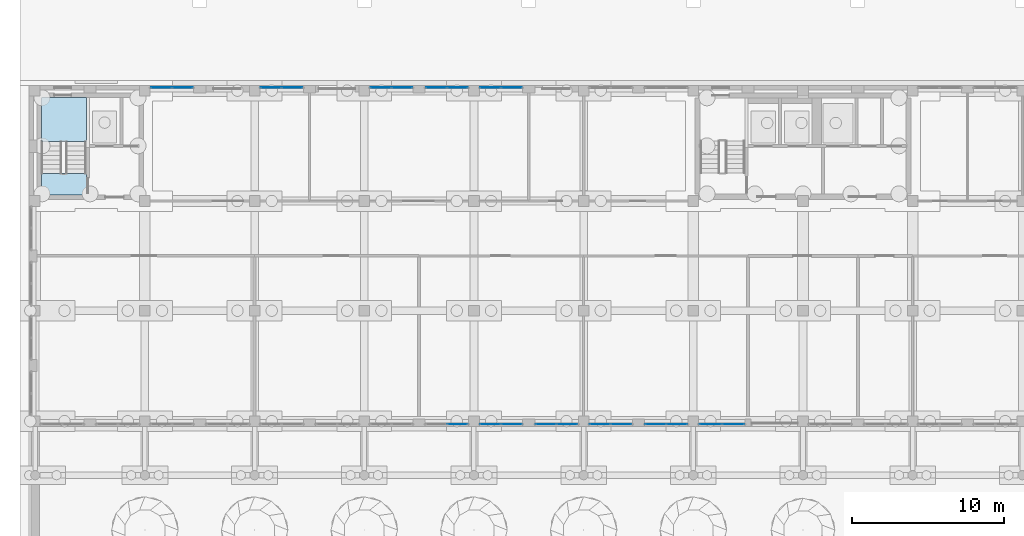
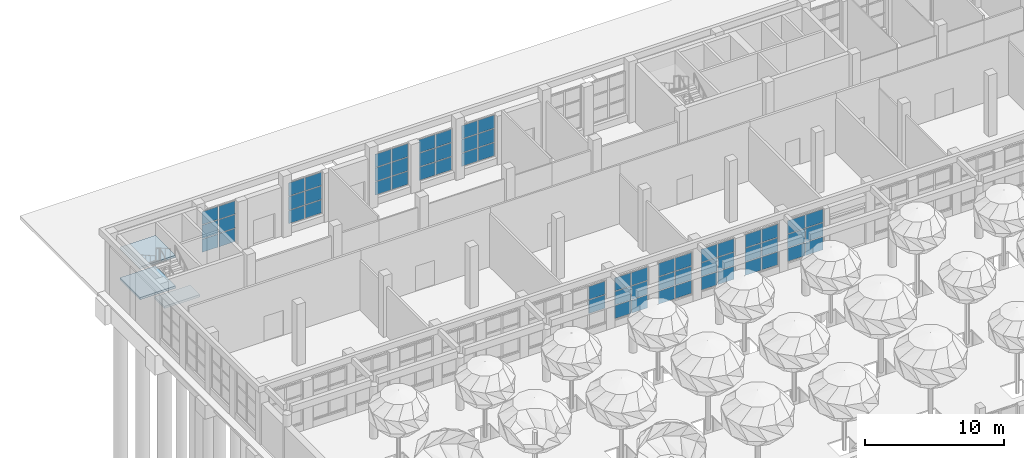
# One storey, part 37 of 80: 62 plates, 3 slabs, 12 elements without a shape of their own.
"""IFC4 building model written with IfcOpenShell, lengths in metres."""

from ifc_helpers import new_model, si_unit, direction, frame, origin, origin_2d, place, context, subcontext, project, spatial, polyline, rectangle, outline, extrude, material, layer, layer_set, type_object, element, aggregate, save


model = new_model("IFC4")

# Units and contexts
model_context = context("Model", 3, precision=1e-05, world=origin(), true_north=direction((0.0, 1.0)))
body_context = subcontext(model_context, "Body", "Model", "MODEL_VIEW")
ifc_project = project(units=[si_unit("LENGTHUNIT", "METRE"), si_unit("AREAUNIT", "SQUARE_METRE"), si_unit("VOLUMEUNIT", "CUBIC_METRE"), si_unit("PLANEANGLEUNIT", "RADIAN"), si_unit("MASSUNIT", "GRAM", prefix="KILO")], contexts=[model_context])

# Site, building, storey
site_placement = place(None, origin())
site = spatial("IfcSite", under=ifc_project, at=site_placement, CompositionType="ELEMENT")
building_placement = place(site_placement, origin())
building = spatial("IfcBuilding", under=site, at=building_placement, Name="Ussher Court Research Institute", CompositionType="ELEMENT")
storey_placement = place(building_placement, origin())
storey = spatial("IfcBuildingStorey", under=building, at=storey_placement, Name="L00", CompositionType="ELEMENT", Elevation=0.0)

# Curtain wall, plates
ifc_material_1 = material(Name="Bronze anodised aluminium with laminated safety glass", Category="aluminium")
ifc_layer_1 = layer(ifc_material_1, 0.1201171875)
ifc_layer_set_1 = layer_set([ifc_layer_1], Name="Bronze anodised aluminium with laminated safety glass")
curtain_wall_type = type_object("IfcCurtainWallType", Name="Curtain wall dry laboratory base storefront", PredefinedType="NOTDEFINED", material=ifc_layer_set_1)
curtain_wall_1_placement = place(storey_placement, origin())
curtain_wall_1 = element("IfcCurtainWall", 1, at=curtain_wall_1_placement, inside=storey, type_object=curtain_wall_type, Name="Curtain wall CW4 L00", PredefinedType="NOTDEFINED")
ifc_material_2 = material(Name="Laminated safety glass", Category="glass")
ifc_layer_2 = layer(ifc_material_2, 0.02099609375)
ifc_layer_set_2 = layer_set([ifc_layer_2], Name="Laminated safety glass")
plate_type = type_object("IfcPlateType", Name="Laminated safety glazing panel 21 mm", PredefinedType="CURTAIN_PANEL", material=ifc_layer_set_2)
plate_1_placement = place(storey_placement, frame((11.277587890625, 90.64990234375, 0.66015625), z_axis=(0.0, 0.0, 1.0), x_axis=(1.0, 0.0, 0.0)))
plate_1 = element("IfcPlate", 2, at=plate_1_placement, type_object=plate_type, Name="CW4 panel 1.1", PredefinedType="CURTAIN_PANEL", context=body_context, shape_type="SweptSolid", body=[
    extrude(rectangle(XDim=1.3349609375, YDim=0.02099609375, at=origin_2d()), origin(), (0.0, 0.0, 1.0), 1.143310546875),
])
plate_2_placement = place(storey_placement, frame((11.277587890625, 90.64990234375, 1.86328125), z_axis=(0.0, 0.0, 1.0), x_axis=(1.0, 0.0, 0.0)))
plate_2 = element("IfcPlate", 3, at=plate_2_placement, type_object=plate_type, Name="CW4 panel 1.2", PredefinedType="CURTAIN_PANEL", context=body_context, shape_type="SweptSolid", body=[
    extrude(rectangle(XDim=1.3349609375, YDim=0.02099609375, at=origin_2d()), origin(), (0.0, 0.0, 1.0), 1.17333984375),
])
plate_3_placement = place(storey_placement, frame((11.277587890625, 90.64990234375, 3.0966796875), z_axis=(0.0, 0.0, 1.0), x_axis=(1.0, 0.0, 0.0)))
plate_3 = element("IfcPlate", 4, at=plate_3_placement, type_object=plate_type, Name="CW4 panel 1.3", PredefinedType="CURTAIN_PANEL", context=body_context, shape_type="SweptSolid", body=[
    extrude(rectangle(XDim=1.3349609375, YDim=0.02099609375, at=origin_2d()), origin(), (0.0, 0.0, 1.0), 1.143310546875),
])
plate_4_placement = place(storey_placement, frame((12.672607421875, 90.64990234375, 0.66015625), z_axis=(0.0, 0.0, 1.0), x_axis=(1.0, 0.0, 0.0)))
plate_4 = element("IfcPlate", 5, at=plate_4_placement, type_object=plate_type, Name="CW4 panel 2.1", PredefinedType="CURTAIN_PANEL", context=body_context, shape_type="SweptSolid", body=[
    extrude(rectangle(XDim=1.3349609375, YDim=0.02099609375, at=origin_2d()), origin(), (0.0, 0.0, 1.0), 1.143310546875),
])
plate_5_placement = place(storey_placement, frame((12.672607421875, 90.64990234375, 1.86328125), z_axis=(0.0, 0.0, 1.0), x_axis=(1.0, 0.0, 0.0)))
plate_5 = element("IfcPlate", 6, at=plate_5_placement, type_object=plate_type, Name="CW4 panel 2.2", PredefinedType="CURTAIN_PANEL", context=body_context, shape_type="SweptSolid", body=[
    extrude(rectangle(XDim=1.3349609375, YDim=0.02099609375, at=origin_2d()), origin(), (0.0, 0.0, 1.0), 1.17333984375),
])
plate_6_placement = place(storey_placement, frame((12.672607421875, 90.64990234375, 3.0966796875), z_axis=(0.0, 0.0, 1.0), x_axis=(1.0, 0.0, 0.0)))
plate_6 = element("IfcPlate", 7, at=plate_6_placement, type_object=plate_type, Name="CW4 panel 2.3", PredefinedType="CURTAIN_PANEL", context=body_context, shape_type="SweptSolid", body=[
    extrude(rectangle(XDim=1.3349609375, YDim=0.02099609375, at=origin_2d()), origin(), (0.0, 0.0, 1.0), 1.143310546875),
])
aggregate(curtain_wall_1, [plate_1, plate_2, plate_3, plate_4, plate_5, plate_6])

curtain_wall_2_placement = place(storey_placement, origin())
curtain_wall_2 = element("IfcCurtainWall", 8, at=curtain_wall_2_placement, inside=storey, type_object=curtain_wall_type, Name="Curtain wall CW4 L00", PredefinedType="NOTDEFINED")
plate_7_placement = place(storey_placement, frame((18.4775390625, 90.64990234375, 0.66015625), z_axis=(0.0, 0.0, 1.0), x_axis=(1.0, 0.0, 0.0)))
plate_7 = element("IfcPlate", 9, at=plate_7_placement, type_object=plate_type, Name="CW4 panel 1.1", PredefinedType="CURTAIN_PANEL", context=body_context, shape_type="SweptSolid", body=[
    extrude(rectangle(XDim=1.3349609375, YDim=0.02099609375, at=origin_2d()), origin(), (0.0, 0.0, 1.0), 1.143310546875),
])
plate_8_placement = place(storey_placement, frame((18.4775390625, 90.64990234375, 1.86328125), z_axis=(0.0, 0.0, 1.0), x_axis=(1.0, 0.0, 0.0)))
plate_8 = element("IfcPlate", 10, at=plate_8_placement, type_object=plate_type, Name="CW4 panel 1.2", PredefinedType="CURTAIN_PANEL", context=body_context, shape_type="SweptSolid", body=[
    extrude(rectangle(XDim=1.3349609375, YDim=0.02099609375, at=origin_2d()), origin(), (0.0, 0.0, 1.0), 1.17333984375),
])
plate_9_placement = place(storey_placement, frame((18.4775390625, 90.64990234375, 3.0966796875), z_axis=(0.0, 0.0, 1.0), x_axis=(1.0, 0.0, 0.0)))
plate_9 = element("IfcPlate", 11, at=plate_9_placement, type_object=plate_type, Name="CW4 panel 1.3", PredefinedType="CURTAIN_PANEL", context=body_context, shape_type="SweptSolid", body=[
    extrude(rectangle(XDim=1.3349609375, YDim=0.02099609375, at=origin_2d()), origin(), (0.0, 0.0, 1.0), 1.143310546875),
])
plate_10_placement = place(storey_placement, frame((19.87255859375, 90.64990234375, 0.66015625), z_axis=(0.0, 0.0, 1.0), x_axis=(1.0, 0.0, 0.0)))
plate_10 = element("IfcPlate", 12, at=plate_10_placement, type_object=plate_type, Name="CW4 panel 2.1", PredefinedType="CURTAIN_PANEL", context=body_context, shape_type="SweptSolid", body=[
    extrude(rectangle(XDim=1.3349609375, YDim=0.02099609375, at=origin_2d()), origin(), (0.0, 0.0, 1.0), 1.143310546875),
])
plate_11_placement = place(storey_placement, frame((19.87255859375, 90.64990234375, 1.86328125), z_axis=(0.0, 0.0, 1.0), x_axis=(1.0, 0.0, 0.0)))
plate_11 = element("IfcPlate", 13, at=plate_11_placement, type_object=plate_type, Name="CW4 panel 2.2", PredefinedType="CURTAIN_PANEL", context=body_context, shape_type="SweptSolid", body=[
    extrude(rectangle(XDim=1.3349609375, YDim=0.02099609375, at=origin_2d()), origin(), (0.0, 0.0, 1.0), 1.17333984375),
])
plate_12_placement = place(storey_placement, frame((19.87255859375, 90.64990234375, 3.0966796875), z_axis=(0.0, 0.0, 1.0), x_axis=(1.0, 0.0, 0.0)))
plate_12 = element("IfcPlate", 14, at=plate_12_placement, type_object=plate_type, Name="CW4 panel 2.3", PredefinedType="CURTAIN_PANEL", context=body_context, shape_type="SweptSolid", body=[
    extrude(rectangle(XDim=1.3349609375, YDim=0.02099609375, at=origin_2d()), origin(), (0.0, 0.0, 1.0), 1.143310546875),
])
aggregate(curtain_wall_2, [plate_7, plate_8, plate_9, plate_10, plate_11, plate_12])

curtain_wall_3_placement = place(storey_placement, origin())
curtain_wall_3 = element("IfcCurtainWall", 15, at=curtain_wall_3_placement, inside=storey, type_object=curtain_wall_type, Name="Curtain wall CW4 L00", PredefinedType="NOTDEFINED")
plate_13_placement = place(storey_placement, frame((25.677490234375, 90.64990234375, 0.66015625), z_axis=(0.0, 0.0, 1.0), x_axis=(1.0, 0.0, 0.0)))
plate_13 = element("IfcPlate", 16, at=plate_13_placement, type_object=plate_type, Name="CW4 panel 1.1", PredefinedType="CURTAIN_PANEL", context=body_context, shape_type="SweptSolid", body=[
    extrude(rectangle(XDim=1.3349609375, YDim=0.02099609375, at=origin_2d()), origin(), (0.0, 0.0, 1.0), 1.143310546875),
])
plate_14_placement = place(storey_placement, frame((25.677490234375, 90.64990234375, 1.86328125), z_axis=(0.0, 0.0, 1.0), x_axis=(1.0, 0.0, 0.0)))
plate_14 = element("IfcPlate", 17, at=plate_14_placement, type_object=plate_type, Name="CW4 panel 1.2", PredefinedType="CURTAIN_PANEL", context=body_context, shape_type="SweptSolid", body=[
    extrude(rectangle(XDim=1.3349609375, YDim=0.02099609375, at=origin_2d()), origin(), (0.0, 0.0, 1.0), 1.17333984375),
])
plate_15_placement = place(storey_placement, frame((25.677490234375, 90.64990234375, 3.0966796875), z_axis=(0.0, 0.0, 1.0), x_axis=(1.0, 0.0, 0.0)))
plate_15 = element("IfcPlate", 18, at=plate_15_placement, type_object=plate_type, Name="CW4 panel 1.3", PredefinedType="CURTAIN_PANEL", context=body_context, shape_type="SweptSolid", body=[
    extrude(rectangle(XDim=1.3349609375, YDim=0.02099609375, at=origin_2d()), origin(), (0.0, 0.0, 1.0), 1.143310546875),
])
plate_16_placement = place(storey_placement, frame((27.072509765625, 90.64990234375, 0.66015625), z_axis=(0.0, 0.0, 1.0), x_axis=(1.0, 0.0, 0.0)))
plate_16 = element("IfcPlate", 19, at=plate_16_placement, type_object=plate_type, Name="CW4 panel 2.1", PredefinedType="CURTAIN_PANEL", context=body_context, shape_type="SweptSolid", body=[
    extrude(rectangle(XDim=1.3349609375, YDim=0.02099609375, at=origin_2d()), origin(), (0.0, 0.0, 1.0), 1.143310546875),
])
plate_17_placement = place(storey_placement, frame((27.072509765625, 90.64990234375, 1.86328125), z_axis=(0.0, 0.0, 1.0), x_axis=(1.0, 0.0, 0.0)))
plate_17 = element("IfcPlate", 20, at=plate_17_placement, type_object=plate_type, Name="CW4 panel 2.2", PredefinedType="CURTAIN_PANEL", context=body_context, shape_type="SweptSolid", body=[
    extrude(rectangle(XDim=1.3349609375, YDim=0.02099609375, at=origin_2d()), origin(), (0.0, 0.0, 1.0), 1.17333984375),
])
plate_18_placement = place(storey_placement, frame((27.072509765625, 90.64990234375, 3.0966796875), z_axis=(0.0, 0.0, 1.0), x_axis=(1.0, 0.0, 0.0)))
plate_18 = element("IfcPlate", 21, at=plate_18_placement, type_object=plate_type, Name="CW4 panel 2.3", PredefinedType="CURTAIN_PANEL", context=body_context, shape_type="SweptSolid", body=[
    extrude(rectangle(XDim=1.3349609375, YDim=0.02099609375, at=origin_2d()), origin(), (0.0, 0.0, 1.0), 1.143310546875),
])
aggregate(curtain_wall_3, [plate_13, plate_14, plate_15, plate_16, plate_17, plate_18])

curtain_wall_4_placement = place(storey_placement, origin())
curtain_wall_4 = element("IfcCurtainWall", 22, at=curtain_wall_4_placement, inside=storey, type_object=curtain_wall_type, Name="Curtain wall CW4 L00", PredefinedType="NOTDEFINED")
plate_19_placement = place(storey_placement, frame((29.327392578125, 90.64990234375, 0.66015625), z_axis=(0.0, 0.0, 1.0), x_axis=(1.0, 0.0, 0.0)))
plate_19 = element("IfcPlate", 23, at=plate_19_placement, type_object=plate_type, Name="CW4 panel 1.1", PredefinedType="CURTAIN_PANEL", context=body_context, shape_type="SweptSolid", body=[
    extrude(rectangle(XDim=1.3349609375, YDim=0.02099609375, at=origin_2d()), origin(), (0.0, 0.0, 1.0), 1.143310546875),
])
plate_20_placement = place(storey_placement, frame((29.327392578125, 90.64990234375, 1.86328125), z_axis=(0.0, 0.0, 1.0), x_axis=(1.0, 0.0, 0.0)))
plate_20 = element("IfcPlate", 24, at=plate_20_placement, type_object=plate_type, Name="CW4 panel 1.2", PredefinedType="CURTAIN_PANEL", context=body_context, shape_type="SweptSolid", body=[
    extrude(rectangle(XDim=1.3349609375, YDim=0.02099609375, at=origin_2d()), origin(), (0.0, 0.0, 1.0), 1.17333984375),
])
plate_21_placement = place(storey_placement, frame((29.327392578125, 90.64990234375, 3.0966796875), z_axis=(0.0, 0.0, 1.0), x_axis=(1.0, 0.0, 0.0)))
plate_21 = element("IfcPlate", 25, at=plate_21_placement, type_object=plate_type, Name="CW4 panel 1.3", PredefinedType="CURTAIN_PANEL", context=body_context, shape_type="SweptSolid", body=[
    extrude(rectangle(XDim=1.3349609375, YDim=0.02099609375, at=origin_2d()), origin(), (0.0, 0.0, 1.0), 1.143310546875),
])
plate_22_placement = place(storey_placement, frame((30.722412109375, 90.64990234375, 0.66015625), z_axis=(0.0, 0.0, 1.0), x_axis=(1.0, 0.0, 0.0)))
plate_22 = element("IfcPlate", 26, at=plate_22_placement, type_object=plate_type, Name="CW4 panel 2.1", PredefinedType="CURTAIN_PANEL", context=body_context, shape_type="SweptSolid", body=[
    extrude(rectangle(XDim=1.3349609375, YDim=0.02099609375, at=origin_2d()), origin(), (0.0, 0.0, 1.0), 1.143310546875),
])
plate_23_placement = place(storey_placement, frame((30.722412109375, 90.64990234375, 1.86328125), z_axis=(0.0, 0.0, 1.0), x_axis=(1.0, 0.0, 0.0)))
plate_23 = element("IfcPlate", 27, at=plate_23_placement, type_object=plate_type, Name="CW4 panel 2.2", PredefinedType="CURTAIN_PANEL", context=body_context, shape_type="SweptSolid", body=[
    extrude(rectangle(XDim=1.3349609375, YDim=0.02099609375, at=origin_2d()), origin(), (0.0, 0.0, 1.0), 1.17333984375),
])
plate_24_placement = place(storey_placement, frame((30.722412109375, 90.64990234375, 3.0966796875), z_axis=(0.0, 0.0, 1.0), x_axis=(1.0, 0.0, 0.0)))
plate_24 = element("IfcPlate", 28, at=plate_24_placement, type_object=plate_type, Name="CW4 panel 2.3", PredefinedType="CURTAIN_PANEL", context=body_context, shape_type="SweptSolid", body=[
    extrude(rectangle(XDim=1.3349609375, YDim=0.02099609375, at=origin_2d()), origin(), (0.0, 0.0, 1.0), 1.143310546875),
])
aggregate(curtain_wall_4, [plate_19, plate_20, plate_21, plate_22, plate_23, plate_24])

curtain_wall_5_placement = place(storey_placement, origin())
curtain_wall_5 = element("IfcCurtainWall", 29, at=curtain_wall_5_placement, inside=storey, type_object=curtain_wall_type, Name="Curtain wall CW4 L00", PredefinedType="NOTDEFINED")
plate_25_placement = place(storey_placement, frame((32.87744140625, 90.64990234375, 0.66015625), z_axis=(0.0, 0.0, 1.0), x_axis=(1.0, 0.0, 0.0)))
plate_25 = element("IfcPlate", 30, at=plate_25_placement, type_object=plate_type, Name="CW4 panel 1.1", PredefinedType="CURTAIN_PANEL", context=body_context, shape_type="SweptSolid", body=[
    extrude(rectangle(XDim=1.3349609375, YDim=0.02099609375, at=origin_2d()), origin(), (0.0, 0.0, 1.0), 1.143310546875),
])
plate_26_placement = place(storey_placement, frame((32.87744140625, 90.64990234375, 1.86328125), z_axis=(0.0, 0.0, 1.0), x_axis=(1.0, 0.0, 0.0)))
plate_26 = element("IfcPlate", 31, at=plate_26_placement, type_object=plate_type, Name="CW4 panel 1.2", PredefinedType="CURTAIN_PANEL", context=body_context, shape_type="SweptSolid", body=[
    extrude(rectangle(XDim=1.3349609375, YDim=0.02099609375, at=origin_2d()), origin(), (0.0, 0.0, 1.0), 1.17333984375),
])
plate_27_placement = place(storey_placement, frame((32.87744140625, 90.64990234375, 3.0966796875), z_axis=(0.0, 0.0, 1.0), x_axis=(1.0, 0.0, 0.0)))
plate_27 = element("IfcPlate", 32, at=plate_27_placement, type_object=plate_type, Name="CW4 panel 1.3", PredefinedType="CURTAIN_PANEL", context=body_context, shape_type="SweptSolid", body=[
    extrude(rectangle(XDim=1.3349609375, YDim=0.02099609375, at=origin_2d()), origin(), (0.0, 0.0, 1.0), 1.143310546875),
])
plate_28_placement = place(storey_placement, frame((34.2724609375, 90.64990234375, 0.66015625), z_axis=(0.0, 0.0, 1.0), x_axis=(1.0, 0.0, 0.0)))
plate_28 = element("IfcPlate", 33, at=plate_28_placement, type_object=plate_type, Name="CW4 panel 2.1", PredefinedType="CURTAIN_PANEL", context=body_context, shape_type="SweptSolid", body=[
    extrude(rectangle(XDim=1.3349609375, YDim=0.02099609375, at=origin_2d()), origin(), (0.0, 0.0, 1.0), 1.143310546875),
])
plate_29_placement = place(storey_placement, frame((34.2724609375, 90.64990234375, 1.86328125), z_axis=(0.0, 0.0, 1.0), x_axis=(1.0, 0.0, 0.0)))
plate_29 = element("IfcPlate", 34, at=plate_29_placement, type_object=plate_type, Name="CW4 panel 2.2", PredefinedType="CURTAIN_PANEL", context=body_context, shape_type="SweptSolid", body=[
    extrude(rectangle(XDim=1.3349609375, YDim=0.02099609375, at=origin_2d()), origin(), (0.0, 0.0, 1.0), 1.17333984375),
])
plate_30_placement = place(storey_placement, frame((34.2724609375, 90.64990234375, 3.0966796875), z_axis=(0.0, 0.0, 1.0), x_axis=(1.0, 0.0, 0.0)))
plate_30 = element("IfcPlate", 35, at=plate_30_placement, type_object=plate_type, Name="CW4 panel 2.3", PredefinedType="CURTAIN_PANEL", context=body_context, shape_type="SweptSolid", body=[
    extrude(rectangle(XDim=1.3349609375, YDim=0.02099609375, at=origin_2d()), origin(), (0.0, 0.0, 1.0), 1.143310546875),
])
aggregate(curtain_wall_5, [plate_25, plate_26, plate_27, plate_28, plate_29, plate_30])

curtain_wall_6_placement = place(storey_placement, origin())
curtain_wall_6 = element("IfcCurtainWall", 36, at=curtain_wall_6_placement, inside=storey, type_object=curtain_wall_type, Name="Curtain wall CW4 L00", PredefinedType="NOTDEFINED")
plate_31_placement = place(storey_placement, frame((48.822509765625, 68.550048828125, 0.66015625), z_axis=(0.0, 0.0, 1.0), x_axis=(-1.0, 0.0, 0.0)))
plate_31 = element("IfcPlate", 37, at=plate_31_placement, type_object=plate_type, Name="CW4 panel 1.1", PredefinedType="CURTAIN_PANEL", context=body_context, shape_type="SweptSolid", body=[
    extrude(rectangle(XDim=1.43505859375, YDim=0.02099609375, at=origin_2d()), origin(), (0.0, 0.0, 1.0), 1.143310546875),
])
plate_32_placement = place(storey_placement, frame((48.822509765625, 68.550048828125, 1.86328125), z_axis=(0.0, 0.0, 1.0), x_axis=(-1.0, 0.0, 0.0)))
plate_32 = element("IfcPlate", 38, at=plate_32_placement, type_object=plate_type, Name="CW4 panel 1.2", PredefinedType="CURTAIN_PANEL", context=body_context, shape_type="SweptSolid", body=[
    extrude(rectangle(XDim=1.43505859375, YDim=0.02099609375, at=origin_2d()), origin(), (0.0, 0.0, 1.0), 1.17333984375),
])
plate_33_placement = place(storey_placement, frame((48.822509765625, 68.550048828125, 3.0966796875), z_axis=(0.0, 0.0, 1.0), x_axis=(-1.0, 0.0, 0.0)))
plate_33 = element("IfcPlate", 39, at=plate_33_placement, type_object=plate_type, Name="CW4 panel 1.3", PredefinedType="CURTAIN_PANEL", context=body_context, shape_type="SweptSolid", body=[
    extrude(rectangle(XDim=1.43505859375, YDim=0.02099609375, at=origin_2d()), origin(), (0.0, 0.0, 1.0), 1.143310546875),
])
plate_34_placement = place(storey_placement, frame((47.327392578125, 68.550048828125, 0.66015625), z_axis=(0.0, 0.0, 1.0), x_axis=(-1.0, 0.0, 0.0)))
plate_34 = element("IfcPlate", 40, at=plate_34_placement, type_object=plate_type, Name="CW4 panel 2.1", PredefinedType="CURTAIN_PANEL", context=body_context, shape_type="SweptSolid", body=[
    extrude(rectangle(XDim=1.43505859375, YDim=0.02099609375, at=origin_2d()), origin(), (0.0, 0.0, 1.0), 1.143310546875),
])
plate_35_placement = place(storey_placement, frame((47.327392578125, 68.550048828125, 1.86328125), z_axis=(0.0, 0.0, 1.0), x_axis=(-1.0, 0.0, 0.0)))
plate_35 = element("IfcPlate", 41, at=plate_35_placement, type_object=plate_type, Name="CW4 panel 2.2", PredefinedType="CURTAIN_PANEL", context=body_context, shape_type="SweptSolid", body=[
    extrude(rectangle(XDim=1.43505859375, YDim=0.02099609375, at=origin_2d()), origin(), (0.0, 0.0, 1.0), 1.17333984375),
])
plate_36_placement = place(storey_placement, frame((47.327392578125, 68.550048828125, 3.0966796875), z_axis=(0.0, 0.0, 1.0), x_axis=(-1.0, 0.0, 0.0)))
plate_36 = element("IfcPlate", 42, at=plate_36_placement, type_object=plate_type, Name="CW4 panel 2.3", PredefinedType="CURTAIN_PANEL", context=body_context, shape_type="SweptSolid", body=[
    extrude(rectangle(XDim=1.43505859375, YDim=0.02099609375, at=origin_2d()), origin(), (0.0, 0.0, 1.0), 1.143310546875),
])
aggregate(curtain_wall_6, [plate_31, plate_32, plate_33, plate_34, plate_35, plate_36])

curtain_wall_7_placement = place(storey_placement, origin())
curtain_wall_7 = element("IfcCurtainWall", 43, at=curtain_wall_7_placement, inside=storey, type_object=curtain_wall_type, Name="Curtain wall CW4 L00", PredefinedType="NOTDEFINED")
plate_37_placement = place(storey_placement, frame((45.12255859375, 68.550048828125, 0.66015625), z_axis=(0.0, 0.0, 1.0), x_axis=(-1.0, 0.0, 0.0)))
plate_37 = element("IfcPlate", 44, at=plate_37_placement, type_object=plate_type, Name="CW4 panel 1.1", PredefinedType="CURTAIN_PANEL", context=body_context, shape_type="SweptSolid", body=[
    extrude(rectangle(XDim=1.3349609375, YDim=0.02099609375, at=origin_2d()), origin(), (0.0, 0.0, 1.0), 1.143310546875),
])
plate_38_placement = place(storey_placement, frame((45.12255859375, 68.550048828125, 1.86328125), z_axis=(0.0, 0.0, 1.0), x_axis=(-1.0, 0.0, 0.0)))
plate_38 = element("IfcPlate", 45, at=plate_38_placement, type_object=plate_type, Name="CW4 panel 1.2", PredefinedType="CURTAIN_PANEL", context=body_context, shape_type="SweptSolid", body=[
    extrude(rectangle(XDim=1.3349609375, YDim=0.02099609375, at=origin_2d()), origin(), (0.0, 0.0, 1.0), 1.17333984375),
])
plate_39_placement = place(storey_placement, frame((45.12255859375, 68.550048828125, 3.0966796875), z_axis=(0.0, 0.0, 1.0), x_axis=(-1.0, 0.0, 0.0)))
plate_39 = element("IfcPlate", 46, at=plate_39_placement, type_object=plate_type, Name="CW4 panel 1.3", PredefinedType="CURTAIN_PANEL", context=body_context, shape_type="SweptSolid", body=[
    extrude(rectangle(XDim=1.3349609375, YDim=0.02099609375, at=origin_2d()), origin(), (0.0, 0.0, 1.0), 1.143310546875),
])
plate_40_placement = place(storey_placement, frame((43.7275390625, 68.550048828125, 0.66015625), z_axis=(0.0, 0.0, 1.0), x_axis=(-1.0, 0.0, 0.0)))
plate_40 = element("IfcPlate", 47, at=plate_40_placement, type_object=plate_type, Name="CW4 panel 2.1", PredefinedType="CURTAIN_PANEL", context=body_context, shape_type="SweptSolid", body=[
    extrude(rectangle(XDim=1.3349609375, YDim=0.02099609375, at=origin_2d()), origin(), (0.0, 0.0, 1.0), 1.143310546875),
])
plate_41_placement = place(storey_placement, frame((43.7275390625, 68.550048828125, 1.86328125), z_axis=(0.0, 0.0, 1.0), x_axis=(-1.0, 0.0, 0.0)))
plate_41 = element("IfcPlate", 48, at=plate_41_placement, type_object=plate_type, Name="CW4 panel 2.2", PredefinedType="CURTAIN_PANEL", context=body_context, shape_type="SweptSolid", body=[
    extrude(rectangle(XDim=1.3349609375, YDim=0.02099609375, at=origin_2d()), origin(), (0.0, 0.0, 1.0), 1.17333984375),
])
plate_42_placement = place(storey_placement, frame((43.7275390625, 68.550048828125, 3.0966796875), z_axis=(0.0, 0.0, 1.0), x_axis=(-1.0, 0.0, 0.0)))
plate_42 = element("IfcPlate", 49, at=plate_42_placement, type_object=plate_type, Name="CW4 panel 2.3", PredefinedType="CURTAIN_PANEL", context=body_context, shape_type="SweptSolid", body=[
    extrude(rectangle(XDim=1.3349609375, YDim=0.02099609375, at=origin_2d()), origin(), (0.0, 0.0, 1.0), 1.143310546875),
])
aggregate(curtain_wall_7, [plate_37, plate_38, plate_39, plate_40, plate_41, plate_42])

curtain_wall_8_placement = place(storey_placement, origin())
curtain_wall_8 = element("IfcCurtainWall", 50, at=curtain_wall_8_placement, inside=storey, type_object=curtain_wall_type, Name="Curtain wall CW4 L00", PredefinedType="NOTDEFINED")
plate_43_placement = place(storey_placement, frame((41.472412109375, 68.550048828125, 0.66015625), z_axis=(0.0, 0.0, 1.0), x_axis=(-1.0, 0.0, 0.0)))
plate_43 = element("IfcPlate", 51, at=plate_43_placement, type_object=plate_type, Name="CW4 panel 1.1", PredefinedType="CURTAIN_PANEL", context=body_context, shape_type="SweptSolid", body=[
    extrude(rectangle(XDim=1.3349609375, YDim=0.02099609375, at=origin_2d()), origin(), (0.0, 0.0, 1.0), 1.143310546875),
])
plate_44_placement = place(storey_placement, frame((41.472412109375, 68.550048828125, 1.86328125), z_axis=(0.0, 0.0, 1.0), x_axis=(-1.0, 0.0, 0.0)))
plate_44 = element("IfcPlate", 52, at=plate_44_placement, type_object=plate_type, Name="CW4 panel 1.2", PredefinedType="CURTAIN_PANEL", context=body_context, shape_type="SweptSolid", body=[
    extrude(rectangle(XDim=1.3349609375, YDim=0.02099609375, at=origin_2d()), origin(), (0.0, 0.0, 1.0), 1.17333984375),
])
plate_45_placement = place(storey_placement, frame((41.472412109375, 68.550048828125, 3.0966796875), z_axis=(0.0, 0.0, 1.0), x_axis=(-1.0, 0.0, 0.0)))
plate_45 = element("IfcPlate", 53, at=plate_45_placement, type_object=plate_type, Name="CW4 panel 1.3", PredefinedType="CURTAIN_PANEL", context=body_context, shape_type="SweptSolid", body=[
    extrude(rectangle(XDim=1.3349609375, YDim=0.02099609375, at=origin_2d()), origin(), (0.0, 0.0, 1.0), 1.143310546875),
])
plate_46_placement = place(storey_placement, frame((40.077392578125, 68.550048828125, 0.66015625), z_axis=(0.0, 0.0, 1.0), x_axis=(-1.0, 0.0, 0.0)))
plate_46 = element("IfcPlate", 54, at=plate_46_placement, type_object=plate_type, Name="CW4 panel 2.1", PredefinedType="CURTAIN_PANEL", context=body_context, shape_type="SweptSolid", body=[
    extrude(rectangle(XDim=1.3349609375, YDim=0.02099609375, at=origin_2d()), origin(), (0.0, 0.0, 1.0), 1.143310546875),
])
plate_47_placement = place(storey_placement, frame((40.077392578125, 68.550048828125, 1.86328125), z_axis=(0.0, 0.0, 1.0), x_axis=(-1.0, 0.0, 0.0)))
plate_47 = element("IfcPlate", 55, at=plate_47_placement, type_object=plate_type, Name="CW4 panel 2.2", PredefinedType="CURTAIN_PANEL", context=body_context, shape_type="SweptSolid", body=[
    extrude(rectangle(XDim=1.3349609375, YDim=0.02099609375, at=origin_2d()), origin(), (0.0, 0.0, 1.0), 1.17333984375),
])
plate_48_placement = place(storey_placement, frame((40.077392578125, 68.550048828125, 3.0966796875), z_axis=(0.0, 0.0, 1.0), x_axis=(-1.0, 0.0, 0.0)))
plate_48 = element("IfcPlate", 56, at=plate_48_placement, type_object=plate_type, Name="CW4 panel 2.3", PredefinedType="CURTAIN_PANEL", context=body_context, shape_type="SweptSolid", body=[
    extrude(rectangle(XDim=1.3349609375, YDim=0.02099609375, at=origin_2d()), origin(), (0.0, 0.0, 1.0), 1.143310546875),
])
aggregate(curtain_wall_8, [plate_43, plate_44, plate_45, plate_46, plate_47, plate_48])

curtain_wall_9_placement = place(storey_placement, origin())
curtain_wall_9 = element("IfcCurtainWall", 57, at=curtain_wall_9_placement, inside=storey, type_object=curtain_wall_type, Name="Curtain wall CW4 L00", PredefinedType="NOTDEFINED")
plate_49_placement = place(storey_placement, frame((37.922607421875, 68.550048828125, 0.66015625), z_axis=(0.0, 0.0, 1.0), x_axis=(-1.0, 0.0, 0.0)))
plate_49 = element("IfcPlate", 58, at=plate_49_placement, type_object=plate_type, Name="CW4 panel 1.1", PredefinedType="CURTAIN_PANEL", context=body_context, shape_type="SweptSolid", body=[
    extrude(rectangle(XDim=1.3349609375, YDim=0.02099609375, at=origin_2d()), origin(), (0.0, 0.0, 1.0), 1.143310546875),
])
plate_50_placement = place(storey_placement, frame((37.922607421875, 68.550048828125, 1.86328125), z_axis=(0.0, 0.0, 1.0), x_axis=(-1.0, 0.0, 0.0)))
plate_50 = element("IfcPlate", 59, at=plate_50_placement, type_object=plate_type, Name="CW4 panel 1.2", PredefinedType="CURTAIN_PANEL", context=body_context, shape_type="SweptSolid", body=[
    extrude(rectangle(XDim=1.3349609375, YDim=0.02099609375, at=origin_2d()), origin(), (0.0, 0.0, 1.0), 1.17333984375),
])
plate_51_placement = place(storey_placement, frame((37.922607421875, 68.550048828125, 3.0966796875), z_axis=(0.0, 0.0, 1.0), x_axis=(-1.0, 0.0, 0.0)))
plate_51 = element("IfcPlate", 60, at=plate_51_placement, type_object=plate_type, Name="CW4 panel 1.3", PredefinedType="CURTAIN_PANEL", context=body_context, shape_type="SweptSolid", body=[
    extrude(rectangle(XDim=1.3349609375, YDim=0.02099609375, at=origin_2d()), origin(), (0.0, 0.0, 1.0), 1.143310546875),
])
plate_52_placement = place(storey_placement, frame((36.527587890625, 68.550048828125, 0.66015625), z_axis=(0.0, 0.0, 1.0), x_axis=(-1.0, 0.0, 0.0)))
plate_52 = element("IfcPlate", 61, at=plate_52_placement, type_object=plate_type, Name="CW4 panel 2.1", PredefinedType="CURTAIN_PANEL", context=body_context, shape_type="SweptSolid", body=[
    extrude(rectangle(XDim=1.3349609375, YDim=0.02099609375, at=origin_2d()), origin(), (0.0, 0.0, 1.0), 1.143310546875),
])
plate_53_placement = place(storey_placement, frame((36.527587890625, 68.550048828125, 1.86328125), z_axis=(0.0, 0.0, 1.0), x_axis=(-1.0, 0.0, 0.0)))
plate_53 = element("IfcPlate", 62, at=plate_53_placement, type_object=plate_type, Name="CW4 panel 2.2", PredefinedType="CURTAIN_PANEL", context=body_context, shape_type="SweptSolid", body=[
    extrude(rectangle(XDim=1.3349609375, YDim=0.02099609375, at=origin_2d()), origin(), (0.0, 0.0, 1.0), 1.17333984375),
])
plate_54_placement = place(storey_placement, frame((36.527587890625, 68.550048828125, 3.0966796875), z_axis=(0.0, 0.0, 1.0), x_axis=(-1.0, 0.0, 0.0)))
plate_54 = element("IfcPlate", 63, at=plate_54_placement, type_object=plate_type, Name="CW4 panel 2.3", PredefinedType="CURTAIN_PANEL", context=body_context, shape_type="SweptSolid", body=[
    extrude(rectangle(XDim=1.3349609375, YDim=0.02099609375, at=origin_2d()), origin(), (0.0, 0.0, 1.0), 1.143310546875),
])
aggregate(curtain_wall_9, [plate_49, plate_50, plate_51, plate_52, plate_53, plate_54])

curtain_wall_10_placement = place(storey_placement, origin())
curtain_wall_10 = element("IfcCurtainWall", 64, at=curtain_wall_10_placement, inside=storey, type_object=curtain_wall_type, Name="Curtain wall CW4 L00", PredefinedType="NOTDEFINED")
plate_55_placement = place(storey_placement, frame((34.2724609375, 68.550048828125, 0.66015625), z_axis=(0.0, 0.0, 1.0), x_axis=(-1.0, 0.0, 0.0)))
plate_55 = element("IfcPlate", 65, at=plate_55_placement, type_object=plate_type, Name="CW4 panel 1.1", PredefinedType="CURTAIN_PANEL", context=body_context, shape_type="SweptSolid", body=[
    extrude(rectangle(XDim=1.3349609375, YDim=0.02099609375, at=origin_2d()), origin(), (0.0, 0.0, 1.0), 1.143310546875),
])
plate_56_placement = place(storey_placement, frame((34.2724609375, 68.550048828125, 1.86328125), z_axis=(0.0, 0.0, 1.0), x_axis=(-1.0, 0.0, 0.0)))
plate_56 = element("IfcPlate", 66, at=plate_56_placement, type_object=plate_type, Name="CW4 panel 1.2", PredefinedType="CURTAIN_PANEL", context=body_context, shape_type="SweptSolid", body=[
    extrude(rectangle(XDim=1.3349609375, YDim=0.02099609375, at=origin_2d()), origin(), (0.0, 0.0, 1.0), 1.17333984375),
])
plate_57_placement = place(storey_placement, frame((34.2724609375, 68.550048828125, 3.0966796875), z_axis=(0.0, 0.0, 1.0), x_axis=(-1.0, 0.0, 0.0)))
plate_57 = element("IfcPlate", 67, at=plate_57_placement, type_object=plate_type, Name="CW4 panel 1.3", PredefinedType="CURTAIN_PANEL", context=body_context, shape_type="SweptSolid", body=[
    extrude(rectangle(XDim=1.3349609375, YDim=0.02099609375, at=origin_2d()), origin(), (0.0, 0.0, 1.0), 1.143310546875),
])
plate_58_placement = place(storey_placement, frame((32.87744140625, 68.550048828125, 0.66015625), z_axis=(0.0, 0.0, 1.0), x_axis=(-1.0, 0.0, 0.0)))
plate_58 = element("IfcPlate", 68, at=plate_58_placement, type_object=plate_type, Name="CW4 panel 2.1", PredefinedType="CURTAIN_PANEL", context=body_context, shape_type="SweptSolid", body=[
    extrude(rectangle(XDim=1.3349609375, YDim=0.02099609375, at=origin_2d()), origin(), (0.0, 0.0, 1.0), 1.143310546875),
])
plate_59_placement = place(storey_placement, frame((32.87744140625, 68.550048828125, 1.86328125), z_axis=(0.0, 0.0, 1.0), x_axis=(-1.0, 0.0, 0.0)))
plate_59 = element("IfcPlate", 69, at=plate_59_placement, type_object=plate_type, Name="CW4 panel 2.2", PredefinedType="CURTAIN_PANEL", context=body_context, shape_type="SweptSolid", body=[
    extrude(rectangle(XDim=1.3349609375, YDim=0.02099609375, at=origin_2d()), origin(), (0.0, 0.0, 1.0), 1.17333984375),
])
plate_60_placement = place(storey_placement, frame((32.87744140625, 68.550048828125, 3.0966796875), z_axis=(0.0, 0.0, 1.0), x_axis=(-1.0, 0.0, 0.0)))
plate_60 = element("IfcPlate", 70, at=plate_60_placement, type_object=plate_type, Name="CW4 panel 2.3", PredefinedType="CURTAIN_PANEL", context=body_context, shape_type="SweptSolid", body=[
    extrude(rectangle(XDim=1.3349609375, YDim=0.02099609375, at=origin_2d()), origin(), (0.0, 0.0, 1.0), 1.143310546875),
])
aggregate(curtain_wall_10, [plate_55, plate_56, plate_57, plate_58, plate_59, plate_60])

curtain_wall_11_placement = place(storey_placement, origin())
curtain_wall_11 = element("IfcCurtainWall", 71, at=curtain_wall_11_placement, inside=storey, type_object=curtain_wall_type, Name="Curtain wall CW4 L00", PredefinedType="NOTDEFINED")
plate_61_placement = place(storey_placement, frame((30.722412109375, 68.550048828125, 1.86328125), z_axis=(0.0, 0.0, 1.0), x_axis=(-1.0, 0.0, 0.0)))
plate_61 = element("IfcPlate", 72, at=plate_61_placement, type_object=plate_type, Name="CW4 panel 1.2", PredefinedType="CURTAIN_PANEL", context=body_context, shape_type="SweptSolid", body=[
    extrude(rectangle(XDim=1.3349609375, YDim=0.02099609375, at=origin_2d()), origin(), (0.0, 0.0, 1.0), 1.17333984375),
])
plate_62_placement = place(storey_placement, frame((30.722412109375, 68.550048828125, 3.0966796875), z_axis=(0.0, 0.0, 1.0), x_axis=(-1.0, 0.0, 0.0)))
plate_62 = element("IfcPlate", 73, at=plate_62_placement, type_object=plate_type, Name="CW4 panel 1.3", PredefinedType="CURTAIN_PANEL", context=body_context, shape_type="SweptSolid", body=[
    extrude(rectangle(XDim=1.3349609375, YDim=0.02099609375, at=origin_2d()), origin(), (0.0, 0.0, 1.0), 1.143310546875),
])
aggregate(curtain_wall_11, [plate_61, plate_62])

# Stair, slabs
ifc_material_3 = material(Name="Concrete C35/45", Category="concrete")
stair_type = type_object("IfcStairType", Name="Core stair 32 risers 169 mm x 300 going 1350 wide", PredefinedType="HALF_TURN_STAIR", material=ifc_material_3)
stair_placement = place(storey_placement, origin())
stair = element("IfcStair", 74, at=stair_placement, inside=storey, type_object=stair_type, Name="L00 Stair D1", PredefinedType="HALF_TURN_STAIR")
ifc_material_4 = material(Name="Concrete C35/45", Category="concrete")
ifc_layer_3 = layer(ifc_material_4, 0.239990234375)
ifc_layer_set_3 = layer_set([ifc_layer_3], Name="Concrete C35/45")
slab_type = type_object("IfcSlabType", Name="Stair landing 240 RC", PredefinedType="LANDING", material=ifc_layer_set_3)
slab_1_placement = place(storey_placement, frame((0.0, 0.0, 1.14990234375)))
slab_1 = element("IfcSlab", 75, at=slab_1_placement, type_object=slab_type, Name="D1 landing 1", PredefinedType="LANDING", context=body_context, shape_type="SweptSolid", body=[
    extrude(outline(polyline([(6.35009765625, 87.10009765625), (6.35009765625, 90.0), (3.39990234375, 90.0), (3.39990234375, 87.10009765625), (6.35009765625, 87.10009765625)])), origin(), (0.0, 0.0, 1.0), 0.2001953125),
])
slab_2_placement = place(storey_placement, frame((0.0, 0.0, 2.5)))
slab_2 = element("IfcSlab", 76, at=slab_2_placement, type_object=slab_type, Name="D1 landing 2", PredefinedType="LANDING", context=body_context, shape_type="SweptSolid", body=[
    extrude(outline(polyline([(6.35009765625, 83.60009765625), (6.35009765625, 85.0), (3.39990234375, 85.0), (3.39990234375, 83.60009765625), (6.35009765625, 83.60009765625)])), origin(), (0.0, 0.0, 1.0), 0.199951171875),
])
slab_3_placement = place(storey_placement, frame((0.0, 0.0, 3.85009765625)))
slab_3 = element("IfcSlab", 77, at=slab_3_placement, type_object=slab_type, Name="D1 landing 3", PredefinedType="LANDING", context=body_context, shape_type="SweptSolid", body=[
    extrude(outline(polyline([(6.35009765625, 87.10009765625), (6.35009765625, 90.0), (3.39990234375, 90.0), (3.39990234375, 87.10009765625), (6.35009765625, 87.10009765625)])), origin(), (0.0, 0.0, 1.0), 0.199951171875),
])
aggregate(stair, [slab_1, slab_2, slab_3])

save(model, "model.ifc")
